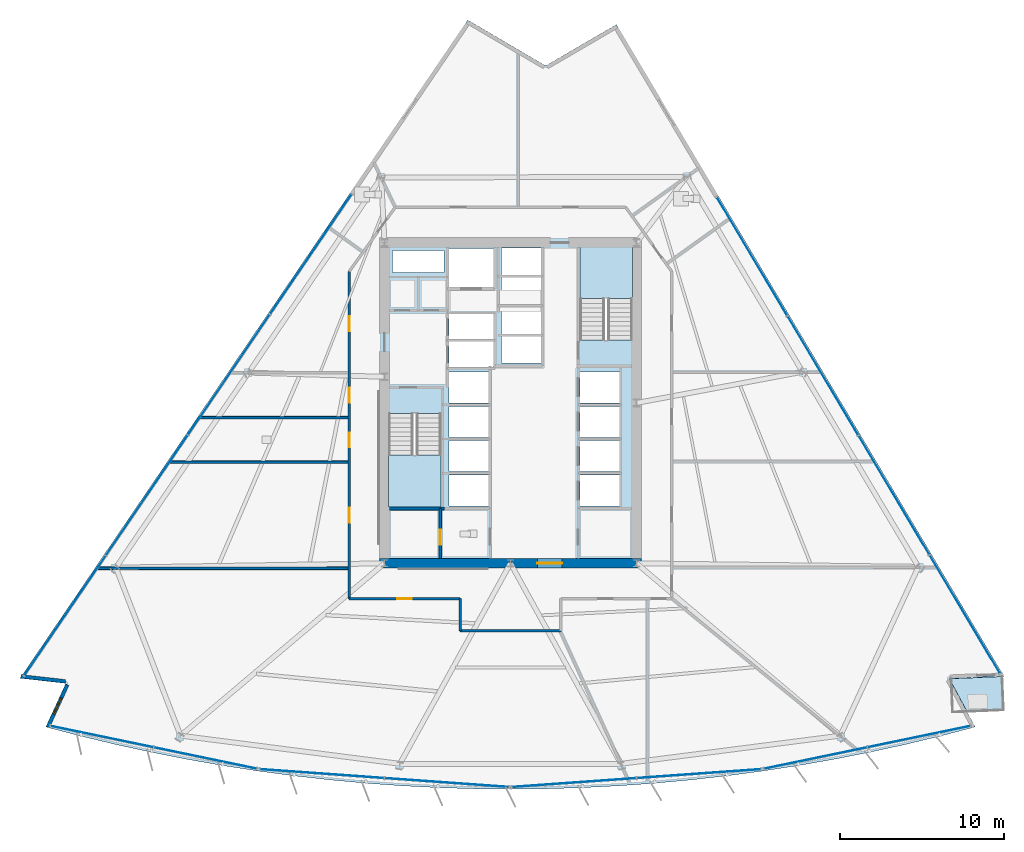
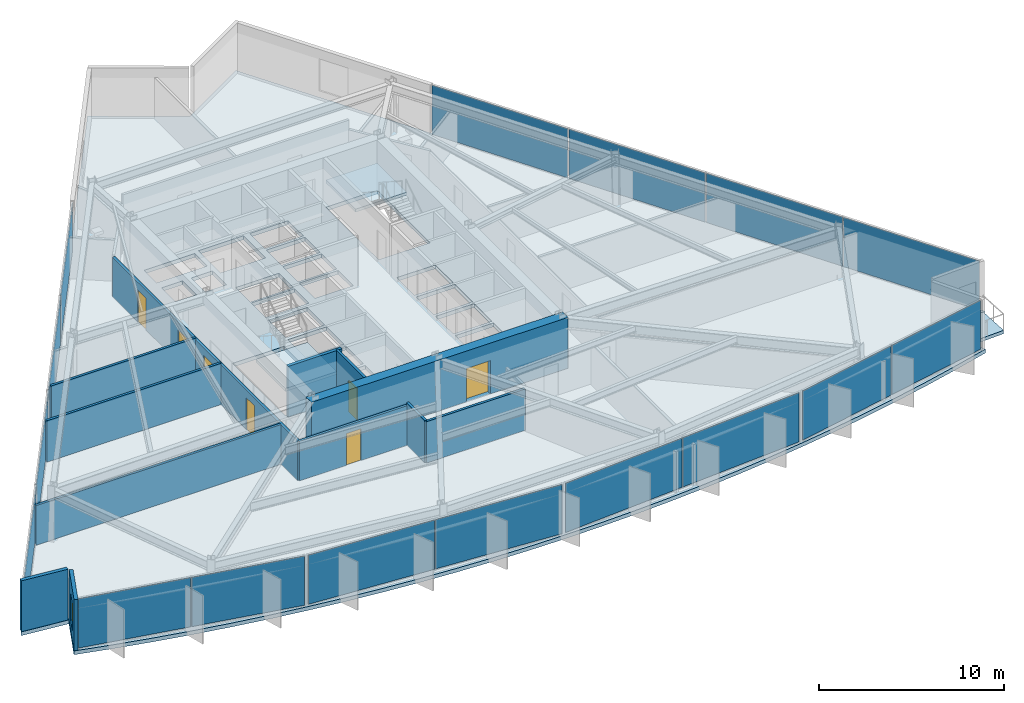
# One storey, part 8 of 16: 16 plates, 12 walls, 7 doors, 4 slabs, 1 window, 8 openings, 8 elements without a shape of their own.
"""IFC4 building model written with IfcOpenShell, lengths in metres."""

from ifc_helpers import new_model, si_unit, direction, frame, frame_2d, origin, origin_2d, place, context, subcontext, project, spatial, polyline, rectangle, outline, extrude, material, layer, layer_set, type_object, element, fill, aggregate, save


model = new_model("IFC4")

# Units and contexts
model_context = context("Model", 3, precision=1e-05, world=origin(), true_north=direction((0.0, 1.0)))
body_context = subcontext(model_context, "Body", "Model", "MODEL_VIEW")
ifc_project = project(units=[si_unit("LENGTHUNIT", "METRE"), si_unit("AREAUNIT", "SQUARE_METRE"), si_unit("VOLUMEUNIT", "CUBIC_METRE"), si_unit("PLANEANGLEUNIT", "RADIAN"), si_unit("MASSUNIT", "GRAM", prefix="KILO")], contexts=[model_context])

# Site, building, storey
site_placement = place(None, origin())
site = spatial("IfcSite", under=ifc_project, at=site_placement, CompositionType="ELEMENT")
building_placement = place(site_placement, origin())
building = spatial("IfcBuilding", under=site, at=building_placement, Name="Savorim Split Tower", CompositionType="ELEMENT")
storey_placement = place(building_placement, frame((0.0, 0.0, 33.60009765625)))
storey = spatial("IfcBuildingStorey", under=building, at=storey_placement, Name="L08", CompositionType="ELEMENT", Elevation=33.60009765625)

# Curtain wall, plates
ifc_material_1 = material(Name="Dark Ceramic-Fritted Insulated Glass", Category="glass")
curtain_wall_type = type_object("IfcCurtainWallType", Name="CW-TWR-FRIT-A", PredefinedType="NOTDEFINED", material=ifc_material_1)
curtain_wall_1_placement = place(storey_placement, origin())
curtain_wall_1 = element("IfcCurtainWall", 1, at=curtain_wall_1_placement, inside=storey, type_object=curtain_wall_type, Name="L08 Curtain Wall CW-L08-SF1", PredefinedType="NOTDEFINED")
ifc_layer_1 = layer(ifc_material_1, 0.028076171875)
ifc_layer_set_1 = layer_set([ifc_layer_1], Name="CWP-FRITA-28")
plate_type = type_object("IfcPlateType", Name="CWP-FRITA-28", PredefinedType="CURTAIN_PANEL", material=ifc_layer_set_1)
plate_1_placement = place(storey_placement, frame((-24.96826171875, -19.98974609375, 0.0546875), z_axis=(0.0, 0.0, 1.0), x_axis=(0.979135110549, -0.203210322793, 0.0)))
plate_1 = element("IfcPlate", 2, at=plate_1_placement, type_object=plate_type, Name="CW-02 panel 1.1", PredefinedType="CURTAIN_PANEL", context=body_context, shape_type="SweptSolid", body=[
    extrude(rectangle(XDim=6.39013671875, YDim=0.028076171875, at=origin_2d()), origin(), (0.0, 0.0, 1.0), 3.239990234375),
])
plate_2_placement = place(storey_placement, frame((-18.647705078125, -21.301513671875, 0.0546875), z_axis=(0.0, 0.0, 1.0), x_axis=(0.979135110549, -0.203210322793, 0.0)))
plate_2 = element("IfcPlate", 3, at=plate_2_placement, type_object=plate_type, Name="CW-02 panel 2.1", PredefinedType="CURTAIN_PANEL", context=body_context, shape_type="SweptSolid", body=[
    extrude(rectangle(XDim=6.39013671875, YDim=0.028076171875, at=origin_2d()), origin(), (0.0, 0.0, 1.0), 3.239990234375),
])
aggregate(curtain_wall_1, [plate_1, plate_2])

curtain_wall_2_placement = place(storey_placement, origin())
curtain_wall_2 = element("IfcCurtainWall", 4, at=curtain_wall_2_placement, inside=storey, type_object=curtain_wall_type, Name="L08 Curtain Wall CW-L08-SF2", PredefinedType="NOTDEFINED")
plate_3_placement = place(storey_placement, frame((-11.51123046875, -22.25390625, 0.0546875), z_axis=(0.0, 0.0, 1.0), x_axis=(0.997436282589, -0.071560199658, 0.0)))
plate_3 = element("IfcPlate", 5, at=plate_3_placement, type_object=plate_type, Name="CW-02 panel 1.1", PredefinedType="CURTAIN_PANEL", context=body_context, shape_type="SweptSolid", body=[
    extrude(rectangle(XDim=7.572998046875, YDim=0.028076171875, at=origin_2d()), origin(), (0.0, 0.0, 1.0), 3.239990234375),
])
plate_4_placement = place(storey_placement, frame((-3.892822265625, -22.80029296875, 0.0546875), z_axis=(0.0, 0.0, 1.0), x_axis=(0.997436282589, -0.071560199658, 0.0)))
plate_4 = element("IfcPlate", 6, at=plate_4_placement, type_object=plate_type, Name="CW-02 panel 2.1", PredefinedType="CURTAIN_PANEL", context=body_context, shape_type="SweptSolid", body=[
    extrude(rectangle(XDim=7.572998046875, YDim=0.028076171875, at=origin_2d()), origin(), (0.0, 0.0, 1.0), 3.239990234375),
])
aggregate(curtain_wall_2, [plate_3, plate_4])

curtain_wall_3_placement = place(storey_placement, origin())
curtain_wall_3 = element("IfcCurtainWall", 7, at=curtain_wall_3_placement, inside=storey, type_object=curtain_wall_type, Name="L08 Curtain Wall CW-L08-SF3", PredefinedType="NOTDEFINED")
plate_5_placement = place(storey_placement, frame((3.892822265625, -22.80029296875, 0.0546875), z_axis=(0.0, 0.0, 1.0), x_axis=(0.997436282589, 0.071560199658, 0.0)))
plate_5 = element("IfcPlate", 8, at=plate_5_placement, type_object=plate_type, Name="CW-02 panel 1.1", PredefinedType="CURTAIN_PANEL", context=body_context, shape_type="SweptSolid", body=[
    extrude(rectangle(XDim=7.572998046875, YDim=0.028076171875, at=origin_2d()), origin(), (0.0, 0.0, 1.0), 3.239990234375),
])
plate_6_placement = place(storey_placement, frame((11.51123046875, -22.25390625, 0.0546875), z_axis=(0.0, 0.0, 1.0), x_axis=(0.997436282589, 0.071560199658, 0.0)))
plate_6 = element("IfcPlate", 9, at=plate_6_placement, type_object=plate_type, Name="CW-02 panel 2.1", PredefinedType="CURTAIN_PANEL", context=body_context, shape_type="SweptSolid", body=[
    extrude(rectangle(XDim=7.572998046875, YDim=0.028076171875, at=origin_2d()), origin(), (0.0, 0.0, 1.0), 3.239990234375),
])
aggregate(curtain_wall_3, [plate_5, plate_6])

curtain_wall_4_placement = place(storey_placement, origin())
curtain_wall_4 = element("IfcCurtainWall", 10, at=curtain_wall_4_placement, inside=storey, type_object=curtain_wall_type, Name="L08 Curtain Wall CW-L08-SF4", PredefinedType="NOTDEFINED")
plate_7_placement = place(storey_placement, frame((18.647705078125, -21.301513671875, 0.0546875), z_axis=(0.0, 0.0, 1.0), x_axis=(0.979135110549, 0.203210322793, 0.0)))
plate_7 = element("IfcPlate", 11, at=plate_7_placement, type_object=plate_type, Name="CW-02 panel 1.1", PredefinedType="CURTAIN_PANEL", context=body_context, shape_type="SweptSolid", body=[
    extrude(rectangle(XDim=6.39013671875, YDim=0.028076171875, at=origin_2d()), origin(), (0.0, 0.0, 1.0), 3.239990234375),
])
plate_8_placement = place(storey_placement, frame((24.96826171875, -19.98974609375, 0.0546875), z_axis=(0.0, 0.0, 1.0), x_axis=(0.979135110549, 0.203210322793, 0.0)))
plate_8 = element("IfcPlate", 12, at=plate_8_placement, type_object=plate_type, Name="CW-02 panel 2.1", PredefinedType="CURTAIN_PANEL", context=body_context, shape_type="SweptSolid", body=[
    extrude(rectangle(XDim=6.39013671875, YDim=0.028076171875, at=origin_2d()), origin(), (0.0, 0.0, 1.0), 3.239990234375),
])
aggregate(curtain_wall_4, [plate_7, plate_8])

curtain_wall_5_placement = place(storey_placement, origin())
curtain_wall_5 = element("IfcCurtainWall", 13, at=curtain_wall_5_placement, inside=storey, type_object=curtain_wall_type, Name="L08 Curtain Wall CW-L08-EAST", PredefinedType="NOTDEFINED")
plate_9_placement = place(storey_placement, frame((27.76611328125, -12.51416015625, 0.0546875), z_axis=(0.0, 0.0, 1.0), x_axis=(-0.511092439425, 0.859525752007, 0.0)))
plate_9 = element("IfcPlate", 14, at=plate_9_placement, type_object=plate_type, Name="CW-02 panel 1.1", PredefinedType="CURTAIN_PANEL", context=body_context, shape_type="SweptSolid", body=[
    extrude(rectangle(XDim=8.394775390625, YDim=0.028076171875, at=origin_2d()), origin(), (0.0, 0.0, 1.0), 3.239990234375),
])
plate_10_placement = place(storey_placement, frame((23.43408203125, -5.228759765625, 0.0546875), z_axis=(0.0, 0.0, 1.0), x_axis=(-0.511092439425, 0.859525752007, 0.0)))
plate_10 = element("IfcPlate", 15, at=plate_10_placement, type_object=plate_type, Name="CW-02 panel 2.1", PredefinedType="CURTAIN_PANEL", context=body_context, shape_type="SweptSolid", body=[
    extrude(rectangle(XDim=8.42724609375, YDim=0.028076171875, at=origin_2d()), origin(), (0.0, 0.0, 1.0), 3.239990234375),
])
plate_11_placement = place(storey_placement, frame((19.093505859375, 2.070556640625, 0.0546875), z_axis=(0.0, 0.0, 1.0), x_axis=(-0.511092439425, 0.859525752007, 0.0)))
plate_11 = element("IfcPlate", 16, at=plate_11_placement, type_object=plate_type, Name="CW-02 panel 3.1", PredefinedType="CURTAIN_PANEL", context=body_context, shape_type="SweptSolid", body=[
    extrude(rectangle(XDim=8.42724609375, YDim=0.028076171875, at=origin_2d()), origin(), (0.0, 0.0, 1.0), 3.239990234375),
])
plate_12_placement = place(storey_placement, frame((14.761474609375, 9.35595703125, 0.0546875), z_axis=(0.0, 0.0, 1.0), x_axis=(-0.511092439425, 0.859525752007, 0.0)))
plate_12 = element("IfcPlate", 17, at=plate_12_placement, type_object=plate_type, Name="CW-02 panel 4.1", PredefinedType="CURTAIN_PANEL", context=body_context, shape_type="SweptSolid", body=[
    extrude(rectangle(XDim=8.394775390625, YDim=0.028076171875, at=origin_2d()), origin(), (0.0, 0.0, 1.0), 3.239990234375),
])
aggregate(curtain_wall_5, [plate_9, plate_10, plate_11, plate_12])

curtain_wall_6_placement = place(storey_placement, origin())
curtain_wall_6 = element("IfcCurtainWall", 18, at=curtain_wall_6_placement, inside=storey, type_object=curtain_wall_type, Name="L08 Curtain Wall CW-L08-WEST", PredefinedType="NOTDEFINED")
plate_13_placement = place(storey_placement, frame((-12.20166015625, 9.489990234375, 0.0546875), z_axis=(0.0, 0.0, 1.0), x_axis=(-0.562465253164, -0.826820923165, 0.0)))
plate_13 = element("IfcPlate", 19, at=plate_13_placement, type_object=plate_type, Name="CW-02 panel 1.1", PredefinedType="CURTAIN_PANEL", context=body_context, shape_type="SweptSolid", body=[
    extrude(rectangle(XDim=8.822265625, YDim=0.028076171875, at=origin_2d()), origin(), (0.0, 0.0, 1.0), 3.239990234375),
])
plate_14_placement = place(storey_placement, frame((-17.20947265625, 2.12841796875, 0.0546875), z_axis=(0.0, 0.0, 1.0), x_axis=(-0.562465253164, -0.826820923165, 0.0)))
plate_14 = element("IfcPlate", 20, at=plate_14_placement, type_object=plate_type, Name="CW-02 panel 2.1", PredefinedType="CURTAIN_PANEL", context=body_context, shape_type="SweptSolid", body=[
    extrude(rectangle(XDim=8.854736328125, YDim=0.028076171875, at=origin_2d()), origin(), (0.0, 0.0, 1.0), 3.239990234375),
])
plate_15_placement = place(storey_placement, frame((-22.2265625, -5.24658203125, 0.0546875), z_axis=(0.0, 0.0, 1.0), x_axis=(-0.562465253164, -0.826820923165, 0.0)))
plate_15 = element("IfcPlate", 21, at=plate_15_placement, type_object=plate_type, Name="CW-02 panel 3.1", PredefinedType="CURTAIN_PANEL", context=body_context, shape_type="SweptSolid", body=[
    extrude(rectangle(XDim=8.854736328125, YDim=0.028076171875, at=origin_2d()), origin(), (0.0, 0.0, 1.0), 3.239990234375),
])
plate_16_placement = place(storey_placement, frame((-27.234375, -12.608154296875, 0.0546875), z_axis=(0.0, 0.0, 1.0), x_axis=(-0.562465253164, -0.826820923165, 0.0)))
plate_16 = element("IfcPlate", 22, at=plate_16_placement, type_object=plate_type, Name="CW-02 panel 4.1", PredefinedType="CURTAIN_PANEL", context=body_context, shape_type="SweptSolid", body=[
    extrude(rectangle(XDim=8.822265625, YDim=0.028076171875, at=origin_2d()), origin(), (0.0, 0.0, 1.0), 3.239990234375),
])
aggregate(curtain_wall_6, [plate_13, plate_14, plate_15, plate_16])

# Slab
ifc_material_2 = material(Name="Concrete C50/60", Category="concrete")
ifc_layer_2 = layer(ifc_material_2, 0.219970703125)
ifc_layer_set_2 = layer_set([ifc_layer_2], Name="SLB-BAL-220")
slab_type_1 = type_object("IfcSlabType", Name="SLB-BAL-220", PredefinedType="FLOOR", material=ifc_layer_set_2)
slab_1_placement = place(storey_placement, frame((0.0, 0.0, -0.22021484375)))
element("IfcSlab", 23, at=slab_1_placement, inside=storey, type_object=slab_type_1, Name="L08 Notched Corner Planted Tree Balcony Slab", PredefinedType="FLOOR", context=body_context, shape_type="SweptSolid", body=[
    extrude(outline(polyline([(30.040283203125, -16.31591796875), (26.93603515625, -16.447998046875), (26.946044921875, -16.6796875), (27.89794921875, -18.453857421875), (30.12744140625, -18.35888671875), (30.040283203125, -16.31591796875)])), origin(), (0.0, 0.0, 1.0), 0.22021484375),
])

# Stair, slab
stair_type = type_object("IfcStairType", Name="STR-DOG-3600", PredefinedType="HALF_TURN_STAIR", material=ifc_material_2)
stair_1_placement = place(storey_placement, origin())
stair_1 = element("IfcStair", 24, at=stair_1_placement, inside=storey, type_object=stair_type, Name="L08 Core Protected Exit Stair ST-1", PredefinedType="HALF_TURN_STAIR")
ifc_layer_3 = layer(ifc_material_2, 0.199951171875)
ifc_layer_set_3 = layer_set([ifc_layer_3], Name="SLB-LND-200")
slab_type_2 = type_object("IfcSlabType", Name="SLB-LND-200", PredefinedType="LANDING", material=ifc_layer_set_3)
slab_2_placement = place(storey_placement, frame((0.0, 0.0, 1.599853515625)))
slab_2 = element("IfcSlab", 25, at=slab_2_placement, type_object=slab_type_2, Name="ST-1 landing 1", PredefinedType="LANDING", context=body_context, shape_type="SweptSolid", body=[
    extrude(outline(polyline([(-7.449951171875, -2.77001953125), (-7.449951171875, -5.949951171875), (-4.25, -5.949951171875), (-4.25, -2.77001953125), (-7.449951171875, -2.77001953125)])), origin(), (0.0, 0.0, 1.0), 0.199951171875),
])
aggregate(stair_1, [slab_2])

stair_2_placement = place(storey_placement, origin())
stair_2 = element("IfcStair", 26, at=stair_2_placement, inside=storey, type_object=stair_type, Name="L08 Core Protected Exit Stair ST-2", PredefinedType="HALF_TURN_STAIR")
slab_3_placement = place(storey_placement, frame((0.0, 0.0, 1.599853515625)))
slab_3 = element("IfcSlab", 27, at=slab_3_placement, type_object=slab_type_2, Name="ST-2 landing 1", PredefinedType="LANDING", context=body_context, shape_type="SweptSolid", body=[
    extrude(outline(polyline([(7.449951171875, 6.77001953125), (7.449951171875, 9.949951171875), (4.25, 9.949951171875), (4.25, 6.77001953125), (7.449951171875, 6.77001953125)])), origin(), (0.0, 0.0, 1.0), 0.199951171875),
])
aggregate(stair_2, [slab_3])

# Slab
ifc_layer_4 = layer(ifc_material_2, 0.25)
ifc_layer_set_4 = layer_set([ifc_layer_4], Name="SLB-TWR-250")
slab_type_3 = type_object("IfcSlabType", Name="SLB-TWR-250", PredefinedType="FLOOR", material=ifc_layer_set_4)
slab_4_placement = place(storey_placement, frame((0.0, 0.0, -0.25)))
element("IfcSlab", 28, at=slab_4_placement, inside=storey, type_object=slab_type_3, Name="L08 Structural Floor Slab", PredefinedType="FLOOR", context=body_context, shape_type="SweptSolid", body=[
    extrude(outline(polyline([(-28.39990234375, -19.39990234375), (-26.261474609375, -19.959228515625), (-24.11181640625, -20.474609375), (-21.951904296875, -20.946044921875), (-19.783203125, -21.373046875), (-17.60595703125, -21.755615234375), (-15.42138671875, -22.093505859375), (-13.230224609375, -22.38671875), (-11.03369140625, -22.635009765625), (-8.83251953125, -22.83837890625), (-6.627685546875, -22.99658203125), (-4.419921875, -23.109619140625), (-2.21044921875, -23.177490234375), (0.0, -23.199951171875), (2.21044921875, -23.177490234375), (4.419921875, -23.109619140625), (6.627685546875, -22.99658203125), (8.83251953125, -22.83837890625), (11.03369140625, -22.635009765625), (13.230224609375, -22.38671875), (15.42138671875, -22.093505859375), (17.60595703125, -21.755615234375), (19.783203125, -21.373046875), (21.951904296875, -20.946044921875), (24.11181640625, -20.474609375), (26.261474609375, -19.959228515625), (28.39990234375, -19.39990234375), (26.81591796875, -16.447998046875), (30.16015625, -16.3056640625), (6.473876953125, 23.5283203125), (2.14990234375, 21.00830078125), (-2.6083984375, 23.80517578125), (-29.97509765625, -16.423583984375), (-27.176025390625, -16.736083984375), (-28.39990234375, -19.39990234375)]), holes=[polyline([(-7.449951171875, -0.25390625), (-7.449951171875, -5.949951171875), (-4.25, -5.949951171875), (-4.25, -0.25390625), (-7.449951171875, -0.25390625)]), polyline([(7.449951171875, 4.25390625), (7.449951171875, 9.949951171875), (4.25, 9.949951171875), (4.25, 4.25390625), (7.449951171875, 4.25390625)]), polyline([(4.25, -5.89990234375), (6.64990234375, -5.89990234375), (6.64990234375, -4.0), (4.25, -4.0), (4.25, -5.89990234375)]), polyline([(4.25, -3.800048828125), (6.64990234375, -3.800048828125), (6.64990234375, -1.89990234375), (4.25, -1.89990234375), (4.25, -3.800048828125)]), polyline([(4.25, -1.699951171875), (6.64990234375, -1.699951171875), (6.64990234375, 0.199951171875), (4.25, 0.199951171875), (4.25, -1.699951171875)]), polyline([(4.25, 0.39990234375), (6.64990234375, 0.39990234375), (6.64990234375, 2.300048828125), (4.25, 2.300048828125), (4.25, 0.39990234375)]), polyline([(-3.75, -5.89990234375), (-1.35009765625, -5.89990234375), (-1.35009765625, -4.0), (-3.75, -4.0), (-3.75, -5.89990234375)]), polyline([(-3.75, -3.800048828125), (-1.35009765625, -3.800048828125), (-1.35009765625, -1.89990234375), (-3.75, -1.89990234375), (-3.75, -3.800048828125)]), polyline([(-3.75, -1.699951171875), (-1.35009765625, -1.699951171875), (-1.35009765625, 0.199951171875), (-3.75, 0.199951171875), (-3.75, -1.699951171875)]), polyline([(-3.75, 0.39990234375), (-1.35009765625, 0.39990234375), (-1.35009765625, 2.300048828125), (-3.75, 2.300048828125), (-3.75, 0.39990234375)]), polyline([(-0.550048828125, 2.830078125), (1.85009765625, 2.830078125), (1.85009765625, 4.469970703125), (-0.550048828125, 4.469970703125), (-0.550048828125, 2.830078125)]), polyline([(-0.550048828125, 4.6298828125), (1.85009765625, 4.6298828125), (1.85009765625, 6.27001953125), (-0.550048828125, 6.27001953125), (-0.550048828125, 4.6298828125)]), polyline([(-0.550048828125, 6.429931640625), (1.85009765625, 6.429931640625), (1.85009765625, 8.070068359375), (-0.550048828125, 8.070068359375), (-0.550048828125, 6.429931640625)]), polyline([(-0.550048828125, 8.22998046875), (1.85009765625, 8.22998046875), (1.85009765625, 9.8701171875), (-0.550048828125, 9.8701171875), (-0.550048828125, 8.22998046875)]), polyline([(-3.75, 2.60009765625), (-1.050048828125, 2.60009765625), (-1.050048828125, 4.159912109375), (-3.75, 4.159912109375), (-3.75, 2.60009765625)]), polyline([(-3.75, 4.280029296875), (-1.050048828125, 4.280029296875), (-1.050048828125, 5.840087890625), (-3.75, 5.840087890625), (-3.75, 4.280029296875)]), polyline([(-3.75, 7.449951171875), (-0.949951171875, 7.449951171875), (-0.949951171875, 9.85009765625), (-3.75, 9.85009765625), (-3.75, 7.449951171875)]), polyline([(-7.219970703125, 6.320068359375), (-5.919921875, 6.320068359375), (-5.919921875, 7.820068359375), (-7.219970703125, 7.820068359375), (-7.219970703125, 6.320068359375)]), polyline([(-5.3798828125, 6.320068359375), (-4.050048828125, 6.320068359375), (-4.050048828125, 7.820068359375), (-5.3798828125, 7.820068359375), (-5.3798828125, 6.320068359375)]), polyline([(-7.219970703125, 8.360107421875), (-4.050048828125, 8.360107421875), (-4.050048828125, 9.719970703125), (-7.219970703125, 9.719970703125), (-7.219970703125, 8.360107421875)])]), origin(), (0.0, 0.0, 1.0), 0.25),
])

# Wall, opening, door
ifc_material_3 = material(Name="Concrete C60/75", Category="concrete")
ifc_layer_5 = layer(ifc_material_3, 0.60009765625)
ifc_layer_set_5 = layer_set([ifc_layer_5], Name="WAL-COR-SH600")
wall_type_1 = type_object("IfcWallType", Name="WAL-COR-SH600", PredefinedType="SHEAR", material=ifc_layer_set_5)
wall_1_placement = place(storey_placement, frame((-8.0, -9.39990234375, 0.0), z_axis=(0.0, 0.0, 1.0), x_axis=(1.0, 0.0, 0.0)))
wall_1 = element("IfcWall", 29, at=wall_1_placement, inside=storey, type_object=wall_type_1, Name="L08 Offset Core South Shear Wall", PredefinedType="SHEAR", context=body_context, shape_type="SweptSolid", body=[
    extrude(rectangle(XDim=16.0, YDim=0.60009765625, at=frame_2d((8.0, 0.0))), origin(), (0.0, 0.0, 1.0), 3.349853515625),
])
opening_1_placement = place(wall_1_placement, frame((9.64990234375, 0.0, 0.0)))
opening_1 = element("IfcOpeningElement", 30, at=opening_1_placement, cuts=wall_1, Name="Opening DI-02", PredefinedType="OPENING", context=body_context, shape_type="SweptSolid", body=[
    extrude(rectangle(XDim=1.5, YDim=2.199951171875, at=frame_2d((0.75, 1.10009765625))), frame((0.0, 0.31005859375, 0.0), z_axis=(0.0, -1.0, 0.0), x_axis=(1.0, 0.0, 0.0)), (0.0, 0.0, 1.0), 0.6201171875),
])
ifc_material_4 = material(Name="Timber Fire Door Leaf", Category="wood")
door_type_1 = type_object("IfcDoorType", Name="DOR-DBL-1500", OperationType="NOTDEFINED", PredefinedType="DOOR", material=ifc_material_4)
door_1_placement = place(opening_1_placement, origin())
door_1 = element("IfcDoor", 31, at=door_1_placement, inside=storey, type_object=door_type_1, Name="DOR-L08-COR-LLOB - L08 Lift Lobby Main Rated Door", OperationType="DOUBLE_DOOR_SINGLE_SWING", OverallHeight=2.199951171875, OverallWidth=1.5, PredefinedType="DOOR", context=body_context, shape_type="SweptSolid", body=[
    extrude(rectangle(XDim=1.5, YDim=2.199951171875, at=frame_2d((0.75, 1.10009765625))), frame((0.0, 0.02490234375, 0.0), z_axis=(0.0, -1.0, 0.0), x_axis=(1.0, 0.0, 0.0)), (0.0, 0.0, 1.0), 0.050048828125),
])
fill(opening_1, door_1)

# Wall
ifc_material_5 = material(Name="Precast concrete C40/50", Category="concrete")
ifc_layer_6 = layer(ifc_material_5, 0.219970703125)
ifc_layer_set_6 = layer_set([ifc_layer_6], Name="WAL-EXT-CRN220")
wall_type_2 = type_object("IfcWallType", Name="WAL-EXT-CRN220", PredefinedType="SOLIDWALL", material=ifc_layer_set_6)
wall_2_placement = place(storey_placement, frame((-27.202392578125, -16.6123046875, 0.0), z_axis=(0.0, 0.0, 1.0), x_axis=(-0.993822658088, 0.110979837223, 0.0)))
element("IfcWall", 32, at=wall_2_placement, inside=storey, type_object=wall_type_2, Name="L08 Notched Corner Facade Wall SW1", PredefinedType="SOLIDWALL", context=body_context, shape_type="SweptSolid", body=[
    extrude(rectangle(XDim=2.736572265625, YDim=0.219970703125, at=frame_2d((1.3681640625, 0.0))), origin(), (0.0, 0.0, 1.0), 3.349853515625),
])

# Wall, opening, window
wall_3_placement = place(storey_placement, frame((-28.2744140625, -19.413818359375, 0.0), z_axis=(0.0, 0.0, 1.0), x_axis=(0.417521186742, 0.908667188041, 0.0)))
wall_3 = element("IfcWall", 33, at=wall_3_placement, inside=storey, type_object=wall_type_2, Name="L08 Notched Corner Facade Wall SW", PredefinedType="SOLIDWALL", context=body_context, shape_type="SweptSolid", body=[
    extrude(rectangle(XDim=2.851806640625, YDim=0.219970703125, at=frame_2d((1.42578125, 0.0))), origin(), (0.0, 0.0, 1.0), 3.349853515625),
])
opening_2_placement = place(wall_3_placement, frame((0.8759765625, 0.0, 0.6201171875)))
opening_2 = element("IfcOpeningElement", 34, at=opening_2_placement, cuts=wall_3, Name="Opening WN-09", PredefinedType="OPENING", context=body_context, shape_type="SweptSolid", body=[
    extrude(rectangle(XDim=1.10009765625, YDim=1.800048828125, at=frame_2d((0.550048828125, 0.89990234375))), frame((0.0, 0.119873046875, 0.0), z_axis=(0.0, -1.0, 0.0), x_axis=(1.0, 0.0, 0.0)), (0.0, 0.0, 1.0), 0.239990234375),
])
ifc_material_6 = material(Name="Low-E Operable Double Glazing", Category="glass")
window_type = type_object("IfcWindowType", Name="WIN-TWR-1100x1800", PartitioningType="SINGLE_PANEL", PredefinedType="WINDOW", material=ifc_material_6)
window_placement = place(opening_2_placement, origin())
window = element("IfcWindow", 35, at=window_placement, inside=storey, type_object=window_type, Name="L08 Operable Corner Window SW", OverallHeight=1.800048828125, OverallWidth=1.10009765625, PartitioningType="SINGLE_PANEL", PredefinedType="WINDOW", context=body_context, shape_type="SweptSolid", body=[
    extrude(rectangle(XDim=1.10009765625, YDim=1.800048828125, at=frame_2d((0.550048828125, 0.89990234375))), frame((0.0, 0.030029296875, 0.0), z_axis=(0.0, -1.0, 0.0), x_axis=(1.0, 0.0, 0.0)), (0.0, 0.0, 1.0), 0.06005859375),
])
fill(opening_2, window)

# Wall
ifc_layer_7 = layer(ifc_material_2, 0.199951171875)
ifc_layer_set_7 = layer_set([ifc_layer_7], Name="WAL-INT-RC200")
wall_type_3 = type_object("IfcWallType", Name="WAL-INT-RC200", PredefinedType="SOLIDWALL", material=ifc_layer_set_7)
wall_4_placement = place(storey_placement, frame((-7.39990234375, -6.050048828125, 0.0), z_axis=(0.0, 0.0, 1.0), x_axis=(1.0, 0.0, 0.0)))
element("IfcWall", 36, at=wall_4_placement, inside=storey, type_object=wall_type_3, Name="L08 Structural Shaft Wall W-L08-KSEP-W", PredefinedType="SOLIDWALL", context=body_context, shape_type="SweptSolid", body=[
    extrude(rectangle(XDim=3.349853515625, YDim=0.199951171875, at=frame_2d((1.6748046875, 0.0))), origin(), (0.0, 0.0, 1.0), 3.349853515625),
])

# Wall, opening, door
ifc_material_7 = material(Name="Acoustic Gypsum Partition Board")
ifc_layer_8 = layer(ifc_material_7, 0.14990234375)
ifc_layer_set_8 = layer_set([ifc_layer_8], Name="WAL-PAR-150")
wall_type_4 = type_object("IfcWallType", Name="WAL-PAR-150", PredefinedType="PARTITIONING", material=ifc_layer_set_8)
wall_5_placement = place(storey_placement, frame((-4.300048828125, -9.094970703125, 0.0), z_axis=(0.0, 0.0, 1.0), x_axis=(0.0, 1.0, 0.0)))
wall_5 = element("IfcWall", 37, at=wall_5_placement, inside=storey, type_object=wall_type_4, Name="L08 Partition W-L08-K1W", PredefinedType="PARTITIONING", context=body_context, shape_type="SweptSolid", body=[
    extrude(rectangle(XDim=3.044921875, YDim=0.14990234375, at=frame_2d((1.5224609375, 0.0))), origin(), (0.0, 0.0, 1.0), 3.349853515625),
])
opening_3_placement = place(wall_5_placement, frame((0.844970703125, 0.0, 0.0)))
opening_3 = element("IfcOpeningElement", 38, at=opening_3_placement, cuts=wall_5, Name="Opening DI-06", PredefinedType="OPENING", context=body_context, shape_type="SweptSolid", body=[
    extrude(rectangle(XDim=0.89990234375, YDim=2.10009765625, at=frame_2d((0.449951171875, 1.050048828125))), frame((0.0, 0.0849609375, 0.0), z_axis=(0.0, -1.0, 0.0), x_axis=(1.0, 0.0, 0.0)), (0.0, 0.0, 1.0), 0.169921875),
])
door_type_2 = type_object("IfcDoorType", Name="DOR-FIR-900", OperationType="NOTDEFINED", PredefinedType="DOOR", material=ifc_material_4)
door_2_placement = place(opening_3_placement, origin())
door_2 = element("IfcDoor", 39, at=door_2_placement, inside=storey, type_object=door_type_2, Name="DR-L08-K1HK - L08 Housekeeping Store Door", OperationType="SINGLE_SWING_RIGHT", OverallHeight=2.10009765625, OverallWidth=0.89990234375, PredefinedType="DOOR", context=body_context, shape_type="SweptSolid", body=[
    extrude(rectangle(XDim=0.89990234375, YDim=2.10009765625, at=frame_2d((0.449951171875, 1.050048828125))), frame((0.0, 0.02490234375, 0.0), z_axis=(0.0, -1.0, 0.0), x_axis=(1.0, 0.0, 0.0)), (0.0, 0.0, 1.0), 0.050048828125),
])
fill(opening_3, door_2)

# Wall, openings, doors
wall_6_placement = place(storey_placement, frame((-9.860107421875, -11.56005859375, 0.0), z_axis=(0.0, 0.0, 1.0), x_axis=(0.0, 1.0, 0.0)))
wall_6 = element("IfcWall", 40, at=wall_6_placement, inside=storey, type_object=wall_type_4, Name="L08 Partition W-L08-COR-01", PredefinedType="PARTITIONING", context=body_context, shape_type="SweptSolid", body=[
    extrude(rectangle(XDim=19.98583984375, YDim=0.14990234375, at=frame_2d((9.992919921875, 0.0))), origin(), (0.0, 0.0, 1.0), 2.60888671875),
])
opening_4_placement = place(wall_6_placement, frame((9.255859375, 0.0, 0.0)))
opening_4 = element("IfcOpeningElement", 41, at=opening_4_placement, cuts=wall_6, Name="Opening DI-06", PredefinedType="OPENING", context=body_context, shape_type="SweptSolid", body=[
    extrude(rectangle(XDim=0.89990234375, YDim=2.10009765625, at=frame_2d((0.449951171875, 1.050048828125))), frame((0.0, 0.0849609375, 0.0), z_axis=(0.0, -1.0, 0.0), x_axis=(1.0, 0.0, 0.0)), (0.0, 0.0, 1.0), 0.169921875),
])
opening_5_placement = place(wall_6_placement, frame((4.650390625, 0.0, 0.0)))
opening_5 = element("IfcOpeningElement", 42, at=opening_5_placement, cuts=wall_6, Name="Opening DI-06", PredefinedType="OPENING", context=body_context, shape_type="SweptSolid", body=[
    extrude(rectangle(XDim=0.89990234375, YDim=2.10009765625, at=frame_2d((0.449951171875, 1.050048828125))), frame((0.0, 0.0849609375, 0.0), z_axis=(0.0, -1.0, 0.0), x_axis=(1.0, 0.0, 0.0)), (0.0, 0.0, 1.0), 0.169921875),
])
opening_6_placement = place(wall_6_placement, frame((16.353515625, 0.0, 0.0)))
opening_6 = element("IfcOpeningElement", 43, at=opening_6_placement, cuts=wall_6, Name="Opening DI-06", PredefinedType="OPENING", context=body_context, shape_type="SweptSolid", body=[
    extrude(rectangle(XDim=0.89990234375, YDim=2.10009765625, at=frame_2d((0.449951171875, 1.050048828125))), frame((0.0, 0.0849609375, 0.0), z_axis=(0.0, -1.0, 0.0), x_axis=(1.0, 0.0, 0.0)), (0.0, 0.0, 1.0), 0.169921875),
])
opening_7_placement = place(wall_6_placement, frame((11.98486328125, 0.0, 0.0)))
opening_7 = element("IfcOpeningElement", 44, at=opening_7_placement, cuts=wall_6, Name="Opening DI-06", PredefinedType="OPENING", context=body_context, shape_type="SweptSolid", body=[
    extrude(rectangle(XDim=0.89990234375, YDim=2.10009765625, at=frame_2d((0.449951171875, 1.050048828125))), frame((0.0, 0.0849609375, 0.0), z_axis=(0.0, -1.0, 0.0), x_axis=(1.0, 0.0, 0.0)), (0.0, 0.0, 1.0), 0.169921875),
])
door_3_placement = place(opening_4_placement, origin())
door_3 = element("IfcDoor", 45, at=door_3_placement, inside=storey, type_object=door_type_2, Name="DR-L08-RM01 - L08 Shared Kitchen Entry Door", OperationType="SINGLE_SWING_RIGHT", OverallHeight=2.10009765625, OverallWidth=0.89990234375, PredefinedType="DOOR", context=body_context, shape_type="SweptSolid", body=[
    extrude(rectangle(XDim=0.89990234375, YDim=2.10009765625, at=frame_2d((0.449951171875, 1.050048828125))), frame((0.0, 0.02490234375, 0.0), z_axis=(0.0, -1.0, 0.0), x_axis=(1.0, 0.0, 0.0)), (0.0, 0.0, 1.0), 0.050048828125),
])
fill(opening_4, door_3)
door_4_placement = place(opening_5_placement, origin())
door_4 = element("IfcDoor", 46, at=door_4_placement, inside=storey, type_object=door_type_2, Name="DR-L08-RM02 - L08 Maker Workshop Entry Door", OperationType="SINGLE_SWING_LEFT", OverallHeight=2.10009765625, OverallWidth=0.89990234375, PredefinedType="DOOR", context=body_context, shape_type="SweptSolid", body=[
    extrude(rectangle(XDim=0.89990234375, YDim=2.10009765625, at=frame_2d((0.449951171875, 1.050048828125))), frame((0.0, 0.02490234375, 0.0), z_axis=(0.0, -1.0, 0.0), x_axis=(1.0, 0.0, 0.0)), (0.0, 0.0, 1.0), 0.050048828125),
])
fill(opening_5, door_4)
door_5_placement = place(opening_6_placement, origin())
door_5 = element("IfcDoor", 47, at=door_5_placement, inside=storey, type_object=door_type_2, Name="DR-L08-RM14 - L08 Co-Living Bedroom Entry Door", OperationType="SINGLE_SWING_LEFT", OverallHeight=2.10009765625, OverallWidth=0.89990234375, PredefinedType="DOOR", context=body_context, shape_type="SweptSolid", body=[
    extrude(rectangle(XDim=0.89990234375, YDim=2.10009765625, at=frame_2d((0.449951171875, 1.050048828125))), frame((0.0, 0.02490234375, 0.0), z_axis=(0.0, -1.0, 0.0), x_axis=(1.0, 0.0, 0.0)), (0.0, 0.0, 1.0), 0.050048828125),
])
fill(opening_6, door_5)
door_6_placement = place(opening_7_placement, origin())
door_6 = element("IfcDoor", 48, at=door_6_placement, inside=storey, type_object=door_type_2, Name="DR-L08-RM15 - L08 Co-Living Bedroom Entry Door", OperationType="SINGLE_SWING_RIGHT", OverallHeight=2.10009765625, OverallWidth=0.89990234375, PredefinedType="DOOR", context=body_context, shape_type="SweptSolid", body=[
    extrude(rectangle(XDim=0.89990234375, YDim=2.10009765625, at=frame_2d((0.449951171875, 1.050048828125))), frame((0.0, 0.02490234375, 0.0), z_axis=(0.0, -1.0, 0.0), x_axis=(1.0, 0.0, 0.0)), (0.0, 0.0, 1.0), 0.050048828125),
])
fill(opening_7, door_6)

# Walls
wall_7_placement = place(storey_placement, frame((3.080078125, -13.530029296875, 0.0), z_axis=(0.0, 0.0, 1.0), x_axis=(-1.0, 0.0, 0.0)))
element("IfcWall", 49, at=wall_7_placement, inside=storey, type_object=wall_type_4, Name="L08 Partition W-L08-COR-08", PredefinedType="PARTITIONING", context=body_context, shape_type="SweptSolid", body=[
    extrude(rectangle(XDim=6.16015625, YDim=0.14990234375, at=frame_2d((3.080078125, 0.0))), origin(), (0.0, 0.0, 1.0), 2.724853515625),
])
wall_8_placement = place(storey_placement, frame((-3.080078125, -13.530029296875, 0.0), z_axis=(0.0, 0.0, 1.0), x_axis=(0.0, 1.0, 0.0)))
element("IfcWall", 50, at=wall_8_placement, inside=storey, type_object=wall_type_4, Name="L08 Partition W-L08-COR-09", PredefinedType="PARTITIONING", context=body_context, shape_type="SweptSolid", body=[
    extrude(rectangle(XDim=1.969970703125, YDim=0.14990234375, at=frame_2d((0.98486328125, 0.0))), origin(), (0.0, 0.0, 1.0), 2.77490234375),
])

# Wall, opening, door
wall_9_placement = place(storey_placement, frame((-3.080078125, -11.56005859375, 0.0), z_axis=(0.0, 0.0, 1.0), x_axis=(-1.0, 0.0, 0.0)))
wall_9 = element("IfcWall", 51, at=wall_9_placement, inside=storey, type_object=wall_type_4, Name="L08 Partition W-L08-COR-10", PredefinedType="PARTITIONING", context=body_context, shape_type="SweptSolid", body=[
    extrude(rectangle(XDim=6.780029296875, YDim=0.14990234375, at=frame_2d((3.39013671875, 0.0))), origin(), (0.0, 0.0, 1.0), 2.60888671875),
])
opening_8_placement = place(wall_9_placement, frame((2.93994140625, 0.0, 0.0)))
opening_8 = element("IfcOpeningElement", 52, at=opening_8_placement, cuts=wall_9, Name="Opening DI-06", PredefinedType="OPENING", context=body_context, shape_type="SweptSolid", body=[
    extrude(rectangle(XDim=0.89990234375, YDim=2.10009765625, at=frame_2d((0.449951171875, 1.050048828125))), frame((0.0, 0.0849609375, 0.0), z_axis=(0.0, -1.0, 0.0), x_axis=(1.0, 0.0, 0.0)), (0.0, 0.0, 1.0), 0.169921875),
])
door_7_placement = place(opening_8_placement, origin())
door_7 = element("IfcDoor", 53, at=door_7_placement, inside=storey, type_object=door_type_2, Name="DR-L08-RM03 - L08 Co-Working Commons Entry Door", OperationType="SINGLE_SWING_RIGHT", OverallHeight=2.10009765625, OverallWidth=0.89990234375, PredefinedType="DOOR", context=body_context, shape_type="SweptSolid", body=[
    extrude(rectangle(XDim=0.89990234375, YDim=2.10009765625, at=frame_2d((0.449951171875, 1.050048828125))), frame((0.0, 0.02490234375, 0.0), z_axis=(0.0, -1.0, 0.0), x_axis=(1.0, 0.0, 0.0)), (0.0, 0.0, 1.0), 0.050048828125),
])
fill(opening_8, door_7)

# Walls
wall_10_placement = place(storey_placement, frame((-9.919921875, -9.7001953125, 0.0), z_axis=(0.0, 0.0, 1.0), x_axis=(-1.0, 0.0, 0.0)))
element("IfcWall", 54, at=wall_10_placement, inside=storey, type_object=wall_type_4, Name="L08 Partition W-L08-PRAD10", PredefinedType="PARTITIONING", context=body_context, shape_type="SweptSolid", body=[
    extrude(rectangle(XDim=15.27587890625, YDim=0.14990234375, at=frame_2d((7.637939453125, 0.0))), origin(), (0.0, 0.0, 1.0), 2.60888671875),
])
wall_11_placement = place(storey_placement, frame((-9.919921875, -3.218505859375, 0.0), z_axis=(0.0, 0.0, 1.0), x_axis=(-1.0, 0.0, 0.0)))
element("IfcWall", 55, at=wall_11_placement, inside=storey, type_object=wall_type_4, Name="L08 Partition W-L08-SUB01", PredefinedType="PARTITIONING", context=body_context, shape_type="SweptSolid", body=[
    extrude(rectangle(XDim=10.86669921875, YDim=0.14990234375, at=frame_2d((5.433349609375, 0.0))), origin(), (0.0, 0.0, 1.0), 2.724853515625),
])
wall_12_placement = place(storey_placement, frame((-9.919921875, -0.48974609375, 0.0), z_axis=(0.0, 0.0, 1.0), x_axis=(-0.999999999633, 2.7095865e-05, 0.0)))
element("IfcWall", 56, at=wall_12_placement, inside=storey, type_object=wall_type_4, Name="L08 Partition W-L08-SUB07", PredefinedType="PARTITIONING", context=body_context, shape_type="SweptSolid", body=[
    extrude(rectangle(XDim=9.01025390625, YDim=0.14990234375, at=frame_2d((4.505126953125, 0.0))), origin(), (0.0, 0.0, 1.0), 2.724853515625),
])

save(model, "model.ifc")
